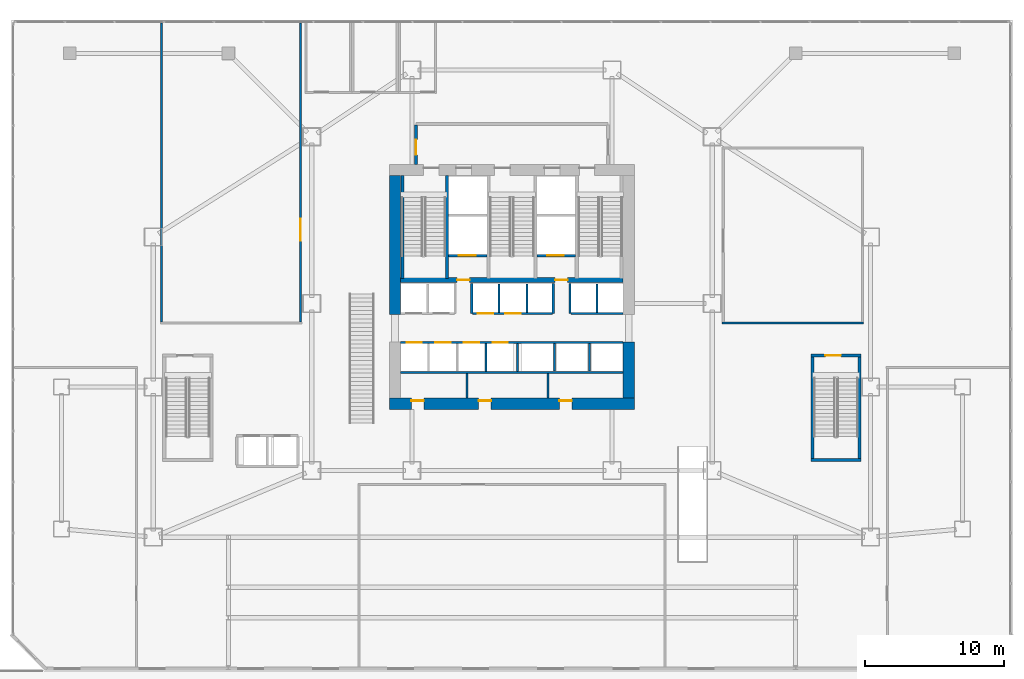
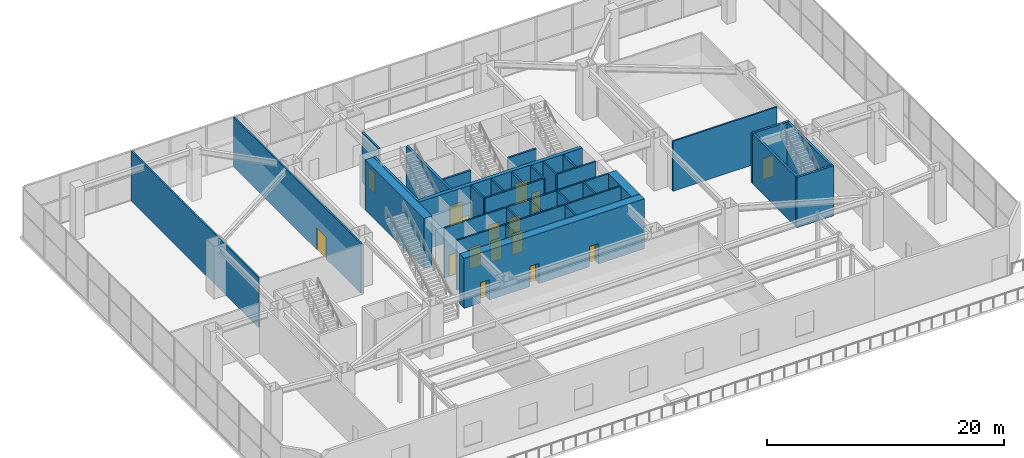
# One storey, part 29 of 37: 32 walls, 16 doors, 16 openings.
"""IFC4 building model written with IfcOpenShell, lengths in metres."""

from ifc_helpers import new_model, si_unit, direction, frame, frame_2d, origin, place, context, subcontext, project, spatial, rectangle, extrude, material, layer, layer_set, type_object, element, fill, save


model = new_model("IFC4")

# Units and contexts
model_context = context("Model", 3, precision=1e-05, world=origin(), true_north=direction((0.0, 1.0)))
body_context = subcontext(model_context, "Body", "Model", "MODEL_VIEW")
ifc_project = project(units=[si_unit("LENGTHUNIT", "METRE"), si_unit("AREAUNIT", "SQUARE_METRE"), si_unit("VOLUMEUNIT", "CUBIC_METRE"), si_unit("PLANEANGLEUNIT", "RADIAN"), si_unit("MASSUNIT", "GRAM", prefix="KILO")], contexts=[model_context])

# Site, building, storey
site_placement = place(None, origin())
site = spatial("IfcSite", under=ifc_project, at=site_placement, CompositionType="ELEMENT")
building_placement = place(site_placement, origin())
building = spatial("IfcBuilding", under=site, at=building_placement, Name="Haolan Belvedere Tower", CompositionType="ELEMENT")
storey_placement = place(building_placement, frame((0.0, 0.0, 10.199951171875)))
storey = spatial("IfcBuildingStorey", under=building, at=storey_placement, Name="L02", CompositionType="ELEMENT", Elevation=10.199951171875)

# Wall, openings, doors
ifc_material_1 = material(Name="Concrete C70/85", Category="concrete")
ifc_layer_1 = layer(ifc_material_1, 0.800048828125, Name="Concrete C70/85")
ifc_layer_set_1 = layer_set([ifc_layer_1], Name="Concrete C70/85")
wall_type_1 = type_object("IfcWallType", Name="WL-CORE-800", PredefinedType="SHEAR", material=ifc_layer_set_1)
wall_1_placement = place(storey_placement, frame((29.60009765625, 26.39990234375, 0.0), z_axis=(0.0, 0.0, 1.0), x_axis=(1.0, 0.0, 0.0)))
wall_1 = element("IfcWall", 1, at=wall_1_placement, inside=storey, type_object=wall_type_1, Name="L02 central core south shear wall", PredefinedType="SHEAR", context=body_context, shape_type="SweptSolid", body=[
    extrude(rectangle(XDim=17.599853515625, YDim=0.800048828125, at=frame_2d((8.7998046875, 0.0))), origin(), (0.0, 0.0, 1.0), 5.16015625),
])
opening_1_placement = place(wall_1_placement, frame((2.469970703125, 0.0, 0.0), z_axis=(0.0, 0.0, 1.0), x_axis=(-1.0, 0.0, 0.0)))
opening_1 = element("IfcOpeningElement", 2, at=opening_1_placement, cuts=wall_1, Name="Opening FD-05", PredefinedType="OPENING", context=body_context, shape_type="SweptSolid", body=[
    extrude(rectangle(XDim=0.89990234375, YDim=2.10009765625, at=frame_2d((0.449951171875, 1.050048828125))), frame((0.0, 0.409912109375, 0.0), z_axis=(0.0, -1.0, 0.0), x_axis=(1.0, 0.0, 0.0)), (0.0, 0.0, 1.0), 0.820068359375),
])
opening_2_placement = place(wall_1_placement, frame((7.309814453125, 0.0, 0.0), z_axis=(0.0, 0.0, 1.0), x_axis=(-1.0, 0.0, 0.0)))
opening_2 = element("IfcOpeningElement", 3, at=opening_2_placement, cuts=wall_1, Name="Opening FD-05", PredefinedType="OPENING", context=body_context, shape_type="SweptSolid", body=[
    extrude(rectangle(XDim=0.89990234375, YDim=2.10009765625, at=frame_2d((0.449951171875, 1.050048828125))), frame((0.0, 0.409912109375, 0.0), z_axis=(0.0, -1.0, 0.0), x_axis=(1.0, 0.0, 0.0)), (0.0, 0.0, 1.0), 0.820068359375),
])
opening_3_placement = place(wall_1_placement, frame((13.10986328125, 0.0, 0.0), z_axis=(0.0, 0.0, 1.0), x_axis=(-1.0, 0.0, 0.0)))
opening_3 = element("IfcOpeningElement", 4, at=opening_3_placement, cuts=wall_1, Name="Opening FD-05", PredefinedType="OPENING", context=body_context, shape_type="SweptSolid", body=[
    extrude(rectangle(XDim=0.89990234375, YDim=2.10009765625, at=frame_2d((0.449951171875, 1.050048828125))), frame((0.0, 0.409912109375, 0.0), z_axis=(0.0, -1.0, 0.0), x_axis=(1.0, 0.0, 0.0)), (0.0, 0.0, 1.0), 0.820068359375),
])
ifc_material_2 = material(Name="Galvanised fire-rated steel", Category="steel")
door_type_1 = type_object("IfcDoorType", Name="DR-FD60-900", OperationType="NOTDEFINED", PredefinedType="DOOR", material=ifc_material_2)
door_1_placement = place(opening_1_placement, origin())
door_1 = element("IfcDoor", 5, at=door_1_placement, inside=storey, type_object=door_type_1, Name="L02 door CD-L02-SCV-1", OperationType="SINGLE_SWING_LEFT", OverallHeight=2.10009765625, OverallWidth=0.89990234375, PredefinedType="DOOR", context=body_context, shape_type="SweptSolid", body=[
    extrude(rectangle(XDim=0.89990234375, YDim=2.10009765625, at=frame_2d((0.449951171875, 1.050048828125))), frame((0.0, -0.19482421875, 0.0), z_axis=(0.0, -1.0, 0.0), x_axis=(1.0, 0.0, 0.0)), (0.0, 0.0, 1.0), 0.050048828125),
])
fill(opening_1, door_1)
door_2_placement = place(opening_2_placement, origin())
door_2 = element("IfcDoor", 6, at=door_2_placement, inside=storey, type_object=door_type_1, Name="L02 door CD-L02-SCV-2", OperationType="SINGLE_SWING_RIGHT", OverallHeight=2.10009765625, OverallWidth=0.89990234375, PredefinedType="DOOR", context=body_context, shape_type="SweptSolid", body=[
    extrude(rectangle(XDim=0.89990234375, YDim=2.10009765625, at=frame_2d((0.449951171875, 1.050048828125))), frame((0.0, -0.19482421875, 0.0), z_axis=(0.0, -1.0, 0.0), x_axis=(1.0, 0.0, 0.0)), (0.0, 0.0, 1.0), 0.050048828125),
])
fill(opening_2, door_2)
door_3_placement = place(opening_3_placement, origin())
door_3 = element("IfcDoor", 7, at=door_3_placement, inside=storey, type_object=door_type_1, Name="L02 door CD-L02-SCV-3", OperationType="SINGLE_SWING_LEFT", OverallHeight=2.10009765625, OverallWidth=0.89990234375, PredefinedType="DOOR", context=body_context, shape_type="SweptSolid", body=[
    extrude(rectangle(XDim=0.89990234375, YDim=2.10009765625, at=frame_2d((0.449951171875, 1.050048828125))), frame((0.0, -0.19482421875, 0.0), z_axis=(0.0, -1.0, 0.0), x_axis=(1.0, 0.0, 0.0)), (0.0, 0.0, 1.0), 0.050048828125),
])
fill(opening_3, door_3)

# Walls
wall_2_placement = place(storey_placement, frame((30.0, 32.800048828125, 0.0), z_axis=(0.0, 0.0, 1.0), x_axis=(0.0, 1.0, 0.0)))
element("IfcWall", 8, at=wall_2_placement, inside=storey, type_object=wall_type_1, Name="L02 central core shear wall WN", PredefinedType="SHEAR", context=body_context, shape_type="SweptSolid", body=[
    extrude(rectangle(XDim=10.0, YDim=0.800048828125, at=frame_2d((5.0, 0.0))), origin(), (0.0, 0.0, 1.0), 5.16015625),
])
wall_3_placement = place(storey_placement, frame((46.800048828125, 26.800048828125, 0.0), z_axis=(0.0, 0.0, 1.0), x_axis=(0.0, 1.0, 0.0)))
element("IfcWall", 9, at=wall_3_placement, inside=storey, type_object=wall_type_1, Name="L02 central core shear wall ES", PredefinedType="SHEAR", context=body_context, shape_type="SweptSolid", body=[
    extrude(rectangle(XDim=4.050048828125, YDim=0.800048828125, at=frame_2d((2.02490234375, 0.0))), origin(), (0.0, 0.0, 1.0), 5.16015625),
])

# Wall, opening, door
ifc_material_3 = material(Name="Concrete C40/50", Category="concrete")
ifc_layer_2 = layer(ifc_material_3, 0.199951171875, Name="Concrete C40/50")
ifc_layer_set_2 = layer_set([ifc_layer_2], Name="Concrete C40/50")
wall_type_2 = type_object("IfcWallType", Name="WL-FIRE-200", PredefinedType="SOLIDWALL", material=ifc_layer_set_2)
wall_4_placement = place(storey_placement, frame((31.5, 43.60009765625, 0.0), z_axis=(0.0, 0.0, 1.0), x_axis=(0.0, 1.0, 0.0)))
wall_4 = element("IfcWall", 10, at=wall_4_placement, inside=storey, type_object=wall_type_2, Name="L02 interior partition IW-L02-FFL-W", PredefinedType="SOLIDWALL", context=body_context, shape_type="SweptSolid", body=[
    extrude(rectangle(XDim=2.8349609375, YDim=0.199951171875, at=frame_2d((1.41748046875, 0.0))), origin(), (0.0, 0.0, 1.0), 5.16015625),
])
opening_4_placement = place(wall_4_placement, frame((1.800048828125, 0.0, 0.0), z_axis=(0.0, 0.0, 1.0), x_axis=(-1.0, 0.0, 0.0)))
opening_4 = element("IfcOpeningElement", 11, at=opening_4_placement, cuts=wall_4, Name="Opening FD-03", PredefinedType="OPENING", context=body_context, shape_type="SweptSolid", body=[
    extrude(rectangle(XDim=1.10009765625, YDim=2.14990234375, at=frame_2d((0.550048828125, 1.074951171875))), frame((0.0, 0.10986328125, 0.0), z_axis=(0.0, -1.0, 0.0), x_axis=(1.0, 0.0, 0.0)), (0.0, 0.0, 1.0), 0.219970703125),
])
door_type_2 = type_object("IfcDoorType", Name="DR-FD90-1100", OperationType="NOTDEFINED", PredefinedType="DOOR", material=ifc_material_2)
door_4_placement = place(opening_4_placement, origin())
door_4 = element("IfcDoor", 12, at=door_4_placement, inside=storey, type_object=door_type_2, Name="L02 door ID-L02-FFL-DW", OperationType="SINGLE_SWING_LEFT", OverallHeight=2.14990234375, OverallWidth=1.10009765625, PredefinedType="DOOR", context=body_context, shape_type="SweptSolid", body=[
    extrude(rectangle(XDim=1.10009765625, YDim=2.14990234375, at=frame_2d((0.550048828125, 1.074951171875))), frame((0.0, 0.02490234375, 0.0), z_axis=(0.0, -1.0, 0.0), x_axis=(1.0, 0.0, 0.0)), (0.0, 0.0, 1.0), 0.050048828125),
])
fill(opening_4, door_4)

# Walls
ifc_material_4 = material(Name="Double gypsum acoustic stud partition", Category="masonry")
ifc_layer_3 = layer(ifc_material_4, 0.14990234375, Name="Double gypsum acoustic stud partition")
ifc_layer_set_3 = layer_set([ifc_layer_3], Name="Double gypsum acoustic stud partition")
wall_type_3 = type_object("IfcWallType", Name="WL-PART-150", PredefinedType="PARTITIONING", material=ifc_layer_set_3)
wall_5_placement = place(storey_placement, frame((30.39990234375, 28.659912109375, 0.0), z_axis=(0.0, 0.0, 1.0), x_axis=(1.0, 0.0, 0.0)))
element("IfcWall", 13, at=wall_5_placement, inside=storey, type_object=wall_type_3, Name="L02 interior partition IW-L02-SSTRIP-N", PredefinedType="PARTITIONING", context=body_context, shape_type="SweptSolid", body=[
    extrude(rectangle(XDim=16.0, YDim=0.14990234375, at=frame_2d((8.0, 0.0))), origin(), (0.0, 0.0, 1.0), 5.16015625),
])
for number, where, z_axis, x_axis, name in (
    (14, (35.179931640625, 26.81005859375, 0.0), (0.0, 0.0, 1.0), (0.0, 1.0, 0.0), "L02 interior partition IW-L02-SCV-DIV-1"),
    (15, (40.97998046875, 26.81005859375, 0.0), (0.0, 0.0, 1.0), (0.0, 1.0, 0.0), "L02 interior partition IW-L02-SCV-DIV-2"),
):
    element("IfcWall", number, at=place(storey_placement, frame(where, z_axis=z_axis, x_axis=x_axis)), inside=storey, type_object=wall_type_3, Name=name, PredefinedType="PARTITIONING", context=body_context, shape_type="SweptSolid", body=[
        extrude(rectangle(XDim=1.77001953125, YDim=0.14990234375, at=frame_2d((0.885009765625, 0.0))), origin(), (0.0, 0.0, 1.0), 5.16015625),
    ])
wall_6_placement = place(storey_placement, frame((13.199951171875, 32.260009765625, 0.0), z_axis=(0.0, 0.0, 1.0), x_axis=(0.0, 1.0, 0.0)))
element("IfcWall", 16, at=wall_6_placement, inside=storey, type_object=wall_type_3, Name="L02 interior partition IW-L02-GBW-W", PredefinedType="PARTITIONING", context=body_context, shape_type="SweptSolid", body=[
    extrude(rectangle(XDim=21.528076171875, YDim=0.14990234375, at=frame_2d((10.76416015625, 0.0))), origin(), (0.0, 0.0, 1.0), 5.16015625),
])

# Wall, opening, door
wall_7_placement = place(storey_placement, frame((23.199951171875, 32.260009765625, 0.0), z_axis=(0.0, 0.0, 1.0), x_axis=(0.0, 1.0, 0.0)))
wall_7 = element("IfcWall", 17, at=wall_7_placement, inside=storey, type_object=wall_type_3, Name="L02 interior partition IW-L02-GBW-E", PredefinedType="PARTITIONING", context=body_context, shape_type="SweptSolid", body=[
    extrude(rectangle(XDim=21.528076171875, YDim=0.14990234375, at=frame_2d((10.76416015625, 0.0))), origin(), (0.0, 0.0, 1.0), 5.16015625),
])
opening_5_placement = place(wall_7_placement, frame((7.460205078125, 0.0, 0.0), z_axis=(0.0, 0.0, 1.0), x_axis=(-1.0, 0.0, 0.0)))
opening_5 = element("IfcOpeningElement", 18, at=opening_5_placement, cuts=wall_7, Name="Opening ID-06", PredefinedType="OPENING", context=body_context, shape_type="SweptSolid", body=[
    extrude(rectangle(XDim=1.60009765625, YDim=2.25, at=frame_2d((0.800048828125, 1.125))), frame((0.0, 0.0849609375, 0.0), z_axis=(0.0, -1.0, 0.0), x_axis=(1.0, 0.0, 0.0)), (0.0, 0.0, 1.0), 0.169921875),
])
ifc_material_5 = material(Name="Anodised bronze-champagne aluminium and acoustic glass", Category="aluminium")
door_type_3 = type_object("IfcDoorType", Name="DR-DBL-1600", OperationType="DOUBLE_DOOR_SINGLE_SWING", PredefinedType="DOOR", material=ifc_material_5)
door_5_placement = place(opening_5_placement, origin())
door_5 = element("IfcDoor", 19, at=door_5_placement, inside=storey, type_object=door_type_3, Name="L02 door ID-L02-GBW", OperationType="DOUBLE_DOOR_SINGLE_SWING", OverallHeight=2.25, OverallWidth=1.60009765625, PredefinedType="DOOR", context=body_context, shape_type="SweptSolid", body=[
    extrude(rectangle(XDim=1.60009765625, YDim=2.25, at=frame_2d((0.800048828125, 1.125))), frame((0.0, 0.02490234375, 0.0), z_axis=(0.0, -1.0, 0.0), x_axis=(1.0, 0.0, 0.0)), (0.0, 0.0, 1.0), 0.050048828125),
])
fill(opening_5, door_5)

# Walls
wall_8_placement = place(storey_placement, frame((53.52001953125, 32.199951171875, 0.0), z_axis=(0.0, 0.0, 1.0), x_axis=(1.0, 0.0, 0.0)))
element("IfcWall", 20, at=wall_8_placement, inside=storey, type_object=wall_type_3, Name="L02 interior partition IW-L02-GBE-S", PredefinedType="PARTITIONING", context=body_context, shape_type="SweptSolid", body=[
    extrude(rectangle(XDim=10.159912109375, YDim=0.14990234375, at=frame_2d((5.080078125, 0.0))), origin(), (0.0, 0.0, 1.0), 5.16015625),
])
ifc_material_6 = material(Name="Gypsum fire shaftwall assembly", Category="masonry")
ifc_layer_4 = layer(ifc_material_6, 0.1650390625, Name="Gypsum fire shaftwall assembly")
ifc_layer_set_4 = layer_set([ifc_layer_4], Name="Gypsum fire shaftwall assembly")
wall_type_4 = type_object("IfcWallType", Name="WL-SHAFT-160", PredefinedType="SOLIDWALL", material=ifc_layer_set_4)
for number, where, z_axis, x_axis, name in (
    (21, (35.510009765625, 32.8798828125, 0.0), (0.0, 0.0, 1.0), (0.0, 1.0, 0.0), "L02 interior partition IW-L02-SVP-E-SV1"),
    (22, (41.3701171875, 32.8798828125, 0.0), (0.0, 0.0, 1.0), (0.0, 1.0, 0.0), "L02 interior partition IW-L02-SVP-W-SV2"),
    (23, (42.570068359375, 32.8798828125, 0.0), (0.0, 0.0, 1.0), (0.0, 1.0, 0.0), "L02 interior partition IW-L02-SVP-E-SV2"),
):
    element("IfcWall", number, at=place(storey_placement, frame(where, z_axis=z_axis, x_axis=x_axis)), inside=storey, type_object=wall_type_4, Name=name, PredefinedType="SOLIDWALL", context=body_context, shape_type="SweptSolid", body=[
        extrude(rectangle(XDim=2.170166015625, YDim=0.14990234375, at=frame_2d((1.0849609375, 0.0))), origin(), (0.0, 0.0, 1.0), 5.16015625),
    ])

# Wall, openings, doors
wall_9_placement = place(storey_placement, frame((35.570068359375, 32.8798828125, 0.0), z_axis=(0.0, 0.0, 1.0), x_axis=(1.0, 0.0, 0.0)))
wall_9 = element("IfcWall", 24, at=wall_9_placement, inside=storey, type_object=wall_type_4, Name="L02 interior partition IW-L02-ROW-PN2", PredefinedType="SOLIDWALL", context=body_context, shape_type="SweptSolid", body=[
    extrude(rectangle(XDim=5.739990234375, YDim=0.159912109375, at=frame_2d((2.8701171875, 0.0))), origin(), (0.0, 0.0, 1.0), 5.16015625),
])
opening_6_placement = place(wall_9_placement, frame((1.47021484375, 0.0, 0.0), z_axis=(0.0, 0.0, 1.0), x_axis=(-1.0, 0.0, 0.0)))
opening_6 = element("IfcOpeningElement", 25, at=opening_6_placement, cuts=wall_9, Name="Opening LD-01", PredefinedType="OPENING", context=body_context, shape_type="SweptSolid", body=[
    extrude(rectangle(XDim=1.10009765625, YDim=2.199951171875, at=frame_2d((0.550048828125, 1.10009765625))), frame((0.0, 0.08984375, 0.0), z_axis=(0.0, -1.0, 0.0), x_axis=(1.0, 0.0, 0.0)), (0.0, 0.0, 1.0), 0.179931640625),
])
opening_7_placement = place(wall_9_placement, frame((3.460205078125, 0.0, 0.0), z_axis=(0.0, 0.0, 1.0), x_axis=(-1.0, 0.0, 0.0)))
opening_7 = element("IfcOpeningElement", 26, at=opening_7_placement, cuts=wall_9, Name="Opening LD-01", PredefinedType="OPENING", context=body_context, shape_type="SweptSolid", body=[
    extrude(rectangle(XDim=1.10009765625, YDim=2.199951171875, at=frame_2d((0.550048828125, 1.10009765625))), frame((0.0, 0.08984375, 0.0), z_axis=(0.0, -1.0, 0.0), x_axis=(1.0, 0.0, 0.0)), (0.0, 0.0, 1.0), 0.179931640625),
])
ifc_material_7 = material(Name="Brushed champagne stainless steel 316L", Category="steel")
door_type_4 = type_object("IfcDoorType", Name="DR-LIFT-1100", OperationType="SLIDING_TO_LEFT", PredefinedType="DOOR", material=ifc_material_7)
door_6_placement = place(opening_6_placement, origin())
door_6 = element("IfcDoor", 27, at=door_6_placement, inside=storey, type_object=door_type_4, Name="L02 door ID-L02-LD-PL3", OperationType="SLIDING_TO_LEFT", OverallHeight=2.199951171875, OverallWidth=1.10009765625, PredefinedType="DOOR", context=body_context, shape_type="SweptSolid", body=[
    extrude(rectangle(XDim=1.10009765625, YDim=2.199951171875, at=frame_2d((0.550048828125, 1.10009765625))), frame((0.0, 0.02490234375, 0.0), z_axis=(0.0, -1.0, 0.0), x_axis=(1.0, 0.0, 0.0)), (0.0, 0.0, 1.0), 0.050048828125),
])
fill(opening_6, door_6)
door_7_placement = place(opening_7_placement, origin())
door_7 = element("IfcDoor", 28, at=door_7_placement, inside=storey, type_object=door_type_4, Name="L02 door ID-L02-LD-PL4", OperationType="SLIDING_TO_LEFT", OverallHeight=2.199951171875, OverallWidth=1.10009765625, PredefinedType="DOOR", context=body_context, shape_type="SweptSolid", body=[
    extrude(rectangle(XDim=1.10009765625, YDim=2.199951171875, at=frame_2d((0.550048828125, 1.10009765625))), frame((0.0, 0.02490234375, 0.0), z_axis=(0.0, -1.0, 0.0), x_axis=(1.0, 0.0, 0.0)), (0.0, 0.0, 1.0), 0.050048828125),
])
fill(opening_7, door_7)

# Walls
wall_10_placement = place(storey_placement, frame((42.6298828125, 32.8798828125, 0.0), z_axis=(0.0, 0.0, 1.0), x_axis=(1.0, 0.0, 0.0)))
element("IfcWall", 29, at=wall_10_placement, inside=storey, type_object=wall_type_4, Name="L02 interior partition IW-L02-ROW-PN3", PredefinedType="SOLIDWALL", context=body_context, shape_type="SweptSolid", body=[
    extrude(rectangle(XDim=3.77001953125, YDim=0.159912109375, at=frame_2d((1.885009765625, 0.0))), origin(), (0.0, 0.0, 1.0), 5.16015625),
])
for number, where, z_axis, x_axis, name in (
    (30, (37.47998046875, 32.949951171875, 0.0), (0.0, 0.0, 1.0), (0.0, 1.0, 0.0), "L02 interior partition IW-L02-DIV-PL3"),
    (31, (39.469970703125, 32.949951171875, 0.0), (0.0, 0.0, 1.0), (0.0, 1.0, 0.0), "L02 interior partition IW-L02-DIV-PL4"),
    (32, (44.530029296875, 32.949951171875, 0.0), (0.0, 0.0, 1.0), (0.0, 1.0, 0.0), "L02 interior partition IW-L02-DIV-PH2"),
):
    element("IfcWall", number, at=place(storey_placement, frame(where, z_axis=z_axis, x_axis=x_axis)), inside=storey, type_object=wall_type_4, Name=name, PredefinedType="SOLIDWALL", context=body_context, shape_type="SweptSolid", body=[
        extrude(rectangle(XDim=2.050048828125, YDim=0.14990234375, at=frame_2d((1.02490234375, 0.0))), origin(), (0.0, 0.0, 1.0), 5.16015625),
    ])

# Wall, openings, doors
wall_11_placement = place(storey_placement, frame((30.39990234375, 30.800048828125, 0.0), z_axis=(0.0, 0.0, 1.0), x_axis=(1.0, 0.0, 0.0)))
wall_11 = element("IfcWall", 33, at=wall_11_placement, inside=storey, type_object=wall_type_4, Name="L02 interior partition IW-L02-ROW-PS", PredefinedType="SOLIDWALL", context=body_context, shape_type="SweptSolid", body=[
    extrude(rectangle(XDim=16.0, YDim=0.159912109375, at=frame_2d((8.0, 0.0))), origin(), (0.0, 0.0, 1.0), 5.16015625),
])
opening_8_placement = place(wall_11_placement, frame((0.419921875, 0.0, 0.0)))
opening_8 = element("IfcOpeningElement", 34, at=opening_8_placement, cuts=wall_11, Name="Opening LD-01", PredefinedType="OPENING", context=body_context, shape_type="SweptSolid", body=[
    extrude(rectangle(XDim=1.10009765625, YDim=2.199951171875, at=frame_2d((0.550048828125, 1.10009765625))), frame((0.0, 0.08984375, 0.0), z_axis=(0.0, -1.0, 0.0), x_axis=(1.0, 0.0, 0.0)), (0.0, 0.0, 1.0), 0.179931640625),
])
opening_9_placement = place(wall_11_placement, frame((2.47998046875, 0.0, 0.0)))
opening_9 = element("IfcOpeningElement", 35, at=opening_9_placement, cuts=wall_11, Name="Opening LD-01", PredefinedType="OPENING", context=body_context, shape_type="SweptSolid", body=[
    extrude(rectangle(XDim=1.10009765625, YDim=2.199951171875, at=frame_2d((0.550048828125, 1.10009765625))), frame((0.0, 0.08984375, 0.0), z_axis=(0.0, -1.0, 0.0), x_axis=(1.0, 0.0, 0.0)), (0.0, 0.0, 1.0), 0.179931640625),
])
opening_10_placement = place(wall_11_placement, frame((4.5400390625, 0.0, 0.0)))
opening_10 = element("IfcOpeningElement", 36, at=opening_10_placement, cuts=wall_11, Name="Opening LD-01", PredefinedType="OPENING", context=body_context, shape_type="SweptSolid", body=[
    extrude(rectangle(XDim=1.10009765625, YDim=2.199951171875, at=frame_2d((0.550048828125, 1.10009765625))), frame((0.0, 0.08984375, 0.0), z_axis=(0.0, -1.0, 0.0), x_axis=(1.0, 0.0, 0.0)), (0.0, 0.0, 1.0), 0.179931640625),
])
opening_11_placement = place(wall_11_placement, frame((6.60009765625, 0.0, 0.0)))
opening_11 = element("IfcOpeningElement", 37, at=opening_11_placement, cuts=wall_11, Name="Opening LD-01", PredefinedType="OPENING", context=body_context, shape_type="SweptSolid", body=[
    extrude(rectangle(XDim=1.10009765625, YDim=2.199951171875, at=frame_2d((0.550048828125, 1.10009765625))), frame((0.0, 0.08984375, 0.0), z_axis=(0.0, -1.0, 0.0), x_axis=(1.0, 0.0, 0.0)), (0.0, 0.0, 1.0), 0.179931640625),
])
door_8_placement = place(opening_8_placement, origin())
door_8 = element("IfcDoor", 38, at=door_8_placement, inside=storey, type_object=door_type_4, Name="L02 door ID-L02-LD-PM1", OperationType="SLIDING_TO_LEFT", OverallHeight=2.199951171875, OverallWidth=1.10009765625, PredefinedType="DOOR", context=body_context, shape_type="SweptSolid", body=[
    extrude(rectangle(XDim=1.10009765625, YDim=2.199951171875, at=frame_2d((0.550048828125, 1.10009765625))), frame((0.0, 0.02490234375, 0.0), z_axis=(0.0, -1.0, 0.0), x_axis=(1.0, 0.0, 0.0)), (0.0, 0.0, 1.0), 0.050048828125),
])
fill(opening_8, door_8)
door_9_placement = place(opening_9_placement, origin())
door_9 = element("IfcDoor", 39, at=door_9_placement, inside=storey, type_object=door_type_4, Name="L02 door ID-L02-LD-PM2", OperationType="SLIDING_TO_LEFT", OverallHeight=2.199951171875, OverallWidth=1.10009765625, PredefinedType="DOOR", context=body_context, shape_type="SweptSolid", body=[
    extrude(rectangle(XDim=1.10009765625, YDim=2.199951171875, at=frame_2d((0.550048828125, 1.10009765625))), frame((0.0, 0.02490234375, 0.0), z_axis=(0.0, -1.0, 0.0), x_axis=(1.0, 0.0, 0.0)), (0.0, 0.0, 1.0), 0.050048828125),
])
fill(opening_9, door_9)
door_10_placement = place(opening_10_placement, origin())
door_10 = element("IfcDoor", 40, at=door_10_placement, inside=storey, type_object=door_type_4, Name="L02 door ID-L02-LD-PM3", OperationType="SLIDING_TO_LEFT", OverallHeight=2.199951171875, OverallWidth=1.10009765625, PredefinedType="DOOR", context=body_context, shape_type="SweptSolid", body=[
    extrude(rectangle(XDim=1.10009765625, YDim=2.199951171875, at=frame_2d((0.550048828125, 1.10009765625))), frame((0.0, 0.02490234375, 0.0), z_axis=(0.0, -1.0, 0.0), x_axis=(1.0, 0.0, 0.0)), (0.0, 0.0, 1.0), 0.050048828125),
])
fill(opening_10, door_10)
door_11_placement = place(opening_11_placement, origin())
door_11 = element("IfcDoor", 41, at=door_11_placement, inside=storey, type_object=door_type_4, Name="L02 door ID-L02-LD-PM4", OperationType="SLIDING_TO_LEFT", OverallHeight=2.199951171875, OverallWidth=1.10009765625, PredefinedType="DOOR", context=body_context, shape_type="SweptSolid", body=[
    extrude(rectangle(XDim=1.10009765625, YDim=2.199951171875, at=frame_2d((0.550048828125, 1.10009765625))), frame((0.0, 0.02490234375, 0.0), z_axis=(0.0, -1.0, 0.0), x_axis=(1.0, 0.0, 0.0)), (0.0, 0.0, 1.0), 0.050048828125),
])
fill(opening_11, door_11)

# Walls
for number, where, z_axis, x_axis, name in (
    (42, (36.52001953125, 28.735107421875, 0.0), (0.0, 0.0, 1.0), (0.0, 1.0, 0.0), "L02 interior partition IW-L02-DIV-PM3"),
    (43, (38.800048828125, 28.735107421875, 0.0), (0.0, 0.0, 1.0), (0.0, 1.0, 0.0), "L02 interior partition IW-L02-DIV-PM4"),
):
    element("IfcWall", number, at=place(storey_placement, frame(where, z_axis=z_axis, x_axis=x_axis)), inside=storey, type_object=wall_type_4, Name=name, PredefinedType="SOLIDWALL", context=body_context, shape_type="SweptSolid", body=[
        extrude(rectangle(XDim=1.98486328125, YDim=0.14990234375, at=frame_2d((0.992431640625, 0.0))), origin(), (0.0, 0.0, 1.0), 5.16015625),
    ])
for number, where, z_axis, x_axis, name in (
    (44, (41.469970703125, 28.75, 0.0), (0.0, 0.0, 1.0), (0.0, 1.0, 0.0), "L02 interior partition IW-L02-DIV-OB1"),
    (45, (43.97998046875, 28.75, 0.0), (0.0, 0.0, 1.0), (0.0, 1.0, 0.0), "L02 interior partition IW-L02-DIV-OB2"),
):
    element("IfcWall", number, at=place(storey_placement, frame(where, z_axis=z_axis, x_axis=x_axis)), inside=storey, type_object=wall_type_4, Name=name, PredefinedType="SOLIDWALL", context=body_context, shape_type="SweptSolid", body=[
        extrude(rectangle(XDim=1.985107421875, YDim=0.14990234375, at=frame_2d((0.99267578125, 0.0))), origin(), (0.0, 0.0, 1.0), 5.16015625),
    ])

# Wall, opening, door
ifc_material_8 = material(Name="Precast concrete C40/50", Category="concrete")
ifc_layer_5 = layer(ifc_material_8, 0.179931640625, Name="Precast concrete C40/50")
ifc_layer_set_5 = layer_set([ifc_layer_5], Name="Precast concrete C40/50")
wall_type_5 = type_object("IfcWallType", Name="WL-SHAFT-180", PredefinedType="SOLIDWALL", material=ifc_layer_set_5)
wall_12_placement = place(storey_placement, frame((33.8349609375, 37.050048828125, 0.0), z_axis=(0.0, 0.0, 1.0), x_axis=(1.0, 0.0, 0.0)))
wall_12 = element("IfcWall", 46, at=wall_12_placement, inside=storey, type_object=wall_type_5, Name="L02 interior partition IW-L02-SV1-S", PredefinedType="SOLIDWALL", context=body_context, shape_type="SweptSolid", body=[
    extrude(rectangle(XDim=2.77001953125, YDim=0.179931640625, at=frame_2d((1.385009765625, 0.0))), origin(), (0.0, 0.0, 1.0), 5.16015625),
])
opening_12_placement = place(wall_12_placement, frame((1.945068359375, 0.0, 0.0), z_axis=(0.0, 0.0, 1.0), x_axis=(-1.0, 0.0, 0.0)))
opening_12 = element("IfcOpeningElement", 47, at=opening_12_placement, cuts=wall_12, Name="Opening LD-02", PredefinedType="OPENING", context=body_context, shape_type="SweptSolid", body=[
    extrude(rectangle(XDim=1.199951171875, YDim=2.199951171875, at=frame_2d((0.60009765625, 1.10009765625))), frame((0.0, 0.099853515625, 0.0), z_axis=(0.0, -1.0, 0.0), x_axis=(1.0, 0.0, 0.0)), (0.0, 0.0, 1.0), 0.199951171875),
])
door_type_5 = type_object("IfcDoorType", Name="DR-LIFT-1200", OperationType="SLIDING_TO_RIGHT", PredefinedType="DOOR", material=ifc_material_7)
door_12_placement = place(opening_12_placement, origin())
door_12 = element("IfcDoor", 48, at=door_12_placement, inside=storey, type_object=door_type_5, Name="L02 door ID-L02-LD-SV1", OperationType="SLIDING_TO_RIGHT", OverallHeight=2.199951171875, OverallWidth=1.199951171875, PredefinedType="DOOR", context=body_context, shape_type="SweptSolid", body=[
    extrude(rectangle(XDim=1.199951171875, YDim=2.199951171875, at=frame_2d((0.60009765625, 1.10009765625))), frame((0.0, 0.02490234375, 0.0), z_axis=(0.0, -1.0, 0.0), x_axis=(1.0, 0.0, 0.0)), (0.0, 0.0, 1.0), 0.050048828125),
])
fill(opening_12, door_12)

wall_13_placement = place(storey_placement, frame((40.195068359375, 37.050048828125, 0.0), z_axis=(0.0, 0.0, 1.0), x_axis=(1.0, 0.0, 0.0)))
wall_13 = element("IfcWall", 49, at=wall_13_placement, inside=storey, type_object=wall_type_5, Name="L02 interior partition IW-L02-SV2-S", PredefinedType="SOLIDWALL", context=body_context, shape_type="SweptSolid", body=[
    extrude(rectangle(XDim=2.77001953125, YDim=0.179931640625, at=frame_2d((1.385009765625, 0.0))), origin(), (0.0, 0.0, 1.0), 5.16015625),
])
opening_13_placement = place(wall_13_placement, frame((1.945068359375, 0.0, 0.0), z_axis=(0.0, 0.0, 1.0), x_axis=(-1.0, 0.0, 0.0)))
opening_13 = element("IfcOpeningElement", 50, at=opening_13_placement, cuts=wall_13, Name="Opening LD-02", PredefinedType="OPENING", context=body_context, shape_type="SweptSolid", body=[
    extrude(rectangle(XDim=1.199951171875, YDim=2.199951171875, at=frame_2d((0.60009765625, 1.10009765625))), frame((0.0, 0.099853515625, 0.0), z_axis=(0.0, -1.0, 0.0), x_axis=(1.0, 0.0, 0.0)), (0.0, 0.0, 1.0), 0.199951171875),
])
door_13_placement = place(opening_13_placement, origin())
door_13 = element("IfcDoor", 51, at=door_13_placement, inside=storey, type_object=door_type_5, Name="L02 door ID-L02-LD-SV2", OperationType="SLIDING_TO_RIGHT", OverallHeight=2.199951171875, OverallWidth=1.199951171875, PredefinedType="DOOR", context=body_context, shape_type="SweptSolid", body=[
    extrude(rectangle(XDim=1.199951171875, YDim=2.199951171875, at=frame_2d((0.60009765625, 1.10009765625))), frame((0.0, 0.02490234375, 0.0), z_axis=(0.0, -1.0, 0.0), x_axis=(1.0, 0.0, 0.0)), (0.0, 0.0, 1.0), 0.050048828125),
])
fill(opening_13, door_13)

# Walls
ifc_material_9 = material(Name="Concrete C50/60", Category="concrete")
ifc_layer_6 = layer(ifc_material_9, 0.219970703125, Name="Concrete C50/60")
ifc_layer_set_6 = layer_set([ifc_layer_6], Name="Concrete C50/60")
wall_type_6 = type_object("IfcWallType", Name="WL-STAIR-220", PredefinedType="SHEAR", material=ifc_layer_set_6)
for number, where, z_axis, x_axis, name in (
    (52, (30.511962890625, 35.389892578125, 0.0), (0.0, 0.0, 1.0), (0.0, 1.0, 0.0), "L02 structural stair core wall ST1W"),
    (53, (33.739990234375, 35.389892578125, 0.0), (0.0, 0.0, 1.0), (0.0, 1.0, 0.0), "L02 structural stair core wall ST1E"),
):
    element("IfcWall", number, at=place(storey_placement, frame(where, z_axis=z_axis, x_axis=x_axis)), inside=storey, type_object=wall_type_6, Name=name, PredefinedType="SHEAR", context=body_context, shape_type="SweptSolid", body=[
        extrude(rectangle(XDim=7.41015625, YDim=0.219970703125, at=frame_2d((3.705078125, 0.0))), origin(), (0.0, 0.0, 1.0), 5.16015625),
    ])

# Wall, opening, door
wall_14_placement = place(storey_placement, frame((59.89990234375, 29.860107421875, 0.0), z_axis=(0.0, 0.0, 1.0), x_axis=(1.0, 0.0, 0.0)))
wall_14 = element("IfcWall", 54, at=wall_14_placement, inside=storey, type_object=wall_type_6, Name="L02 podium stair ST5 structural shaft wall N", PredefinedType="SHEAR", context=body_context, shape_type="SweptSolid", body=[
    extrude(rectangle(XDim=3.6201171875, YDim=0.219970703125, at=frame_2d((1.81005859375, 0.0))), origin(), (0.0, 0.0, 1.0), 5.16015625),
])
opening_14_placement = place(wall_14_placement, frame((1.050048828125, 0.0, 0.0)))
opening_14 = element("IfcOpeningElement", 55, at=opening_14_placement, cuts=wall_14, Name="Opening FD-03", PredefinedType="OPENING", context=body_context, shape_type="SweptSolid", body=[
    extrude(rectangle(XDim=1.10009765625, YDim=2.14990234375, at=frame_2d((0.550048828125, 1.074951171875))), frame((0.0, 0.119873046875, 0.0), z_axis=(0.0, -1.0, 0.0), x_axis=(1.0, 0.0, 0.0)), (0.0, 0.0, 1.0), 0.239990234375),
])
door_14_placement = place(opening_14_placement, origin())
door_14 = element("IfcDoor", 56, at=door_14_placement, inside=storey, type_object=door_type_2, Name="L02 door ID-L02-D-ST5", OperationType="SINGLE_SWING_RIGHT", OverallHeight=2.14990234375, OverallWidth=1.10009765625, PredefinedType="DOOR", context=body_context, shape_type="SweptSolid", body=[
    extrude(rectangle(XDim=1.10009765625, YDim=2.14990234375, at=frame_2d((0.550048828125, 1.074951171875))), frame((0.0, 0.02490234375, 0.0), z_axis=(0.0, -1.0, 0.0), x_axis=(1.0, 0.0, 0.0)), (0.0, 0.0, 1.0), 0.050048828125),
])
fill(opening_14, door_14)

# Walls
wall_15_placement = place(storey_placement, frame((59.89990234375, 22.340087890625, 0.0), z_axis=(0.0, 0.0, 1.0), x_axis=(1.0, 0.0, 0.0)))
element("IfcWall", 57, at=wall_15_placement, inside=storey, type_object=wall_type_6, Name="L02 podium stair ST5 structural shaft wall S", PredefinedType="SHEAR", context=body_context, shape_type="SweptSolid", body=[
    extrude(rectangle(XDim=3.6201171875, YDim=0.219970703125, at=frame_2d((1.81005859375, 0.0))), origin(), (0.0, 0.0, 1.0), 5.16015625),
])
for number, where, z_axis, x_axis, name in (
    (58, (60.010009765625, 22.449951171875, 0.0), (0.0, 0.0, 1.0), (0.0, 1.0, 0.0), "L02 podium stair ST5 structural shaft wall W"),
    (59, (63.409912109375, 22.449951171875, 0.0), (0.0, 0.0, 1.0), (0.0, 1.0, 0.0), "L02 podium stair ST5 structural shaft wall E"),
):
    element("IfcWall", number, at=place(storey_placement, frame(where, z_axis=z_axis, x_axis=x_axis)), inside=storey, type_object=wall_type_6, Name=name, PredefinedType="SHEAR", context=body_context, shape_type="SweptSolid", body=[
        extrude(rectangle(XDim=7.300048828125, YDim=0.219970703125, at=frame_2d((3.64990234375, 0.0))), origin(), (0.0, 0.0, 1.0), 5.16015625),
    ])

# Wall, openings, doors
ifc_material_10 = material(Name="Concrete C60/75", Category="concrete")
ifc_layer_7 = layer(ifc_material_10, 0.360107421875, Name="Concrete C60/75")
ifc_layer_set_7 = layer_set([ifc_layer_7], Name="Concrete C60/75")
wall_type_7 = type_object("IfcWallType", Name="WL-WEB-350", PredefinedType="SHEAR", material=ifc_layer_set_7)
wall_16_placement = place(storey_placement, frame((30.39990234375, 35.2900390625, 0.0), z_axis=(0.0, 0.0, 1.0), x_axis=(1.0, 0.0, 0.0)))
wall_16 = element("IfcWall", 60, at=wall_16_placement, inside=storey, type_object=wall_type_7, Name="L02 central core internal shear web", PredefinedType="SHEAR", context=body_context, shape_type="SweptSolid", body=[
    extrude(rectangle(XDim=16.0, YDim=0.360107421875, at=frame_2d((8.0, 0.0))), origin(), (0.0, 0.0, 1.0), 5.16015625),
])
opening_15_placement = place(wall_16_placement, frame((4.949951171875, 0.0, 0.0), z_axis=(0.0, 0.0, 1.0), x_axis=(-1.0, 0.0, 0.0)))
opening_15 = element("IfcOpeningElement", 61, at=opening_15_placement, cuts=wall_16, Name="Opening FD-05", PredefinedType="OPENING", context=body_context, shape_type="SweptSolid", body=[
    extrude(rectangle(XDim=0.89990234375, YDim=2.10009765625, at=frame_2d((0.449951171875, 1.050048828125))), frame((0.0, 0.18994140625, 0.0), z_axis=(0.0, -1.0, 0.0), x_axis=(1.0, 0.0, 0.0)), (0.0, 0.0, 1.0), 0.380126953125),
])
opening_16_placement = place(wall_16_placement, frame((12.010009765625, 0.0, 0.0), z_axis=(0.0, 0.0, 1.0), x_axis=(-1.0, 0.0, 0.0)))
opening_16 = element("IfcOpeningElement", 62, at=opening_16_placement, cuts=wall_16, Name="Opening FD-05", PredefinedType="OPENING", context=body_context, shape_type="SweptSolid", body=[
    extrude(rectangle(XDim=0.89990234375, YDim=2.10009765625, at=frame_2d((0.449951171875, 1.050048828125))), frame((0.0, 0.18994140625, 0.0), z_axis=(0.0, -1.0, 0.0), x_axis=(1.0, 0.0, 0.0)), (0.0, 0.0, 1.0), 0.380126953125),
])
door_15_placement = place(opening_15_placement, origin())
door_15 = element("IfcDoor", 63, at=door_15_placement, inside=storey, type_object=door_type_1, Name="L02 door CD-L02-SVL-SV1", OperationType="SINGLE_SWING_RIGHT", OverallHeight=2.10009765625, OverallWidth=0.89990234375, PredefinedType="DOOR", context=body_context, shape_type="SweptSolid", body=[
    extrude(rectangle(XDim=0.89990234375, YDim=2.10009765625, at=frame_2d((0.449951171875, 1.050048828125))), frame((0.0, 0.02490234375, 0.0), z_axis=(0.0, -1.0, 0.0), x_axis=(1.0, 0.0, 0.0)), (0.0, 0.0, 1.0), 0.050048828125),
])
fill(opening_15, door_15)
door_16_placement = place(opening_16_placement, origin())
door_16 = element("IfcDoor", 64, at=door_16_placement, inside=storey, type_object=door_type_1, Name="L02 door CD-L02-SVL-SV2", OperationType="SINGLE_SWING_RIGHT", OverallHeight=2.10009765625, OverallWidth=0.89990234375, PredefinedType="DOOR", context=body_context, shape_type="SweptSolid", body=[
    extrude(rectangle(XDim=0.89990234375, YDim=2.10009765625, at=frame_2d((0.449951171875, 1.050048828125))), frame((0.0, 0.02490234375, 0.0), z_axis=(0.0, -1.0, 0.0), x_axis=(1.0, 0.0, 0.0)), (0.0, 0.0, 1.0), 0.050048828125),
])
fill(opening_16, door_16)

save(model, "model.ifc")
